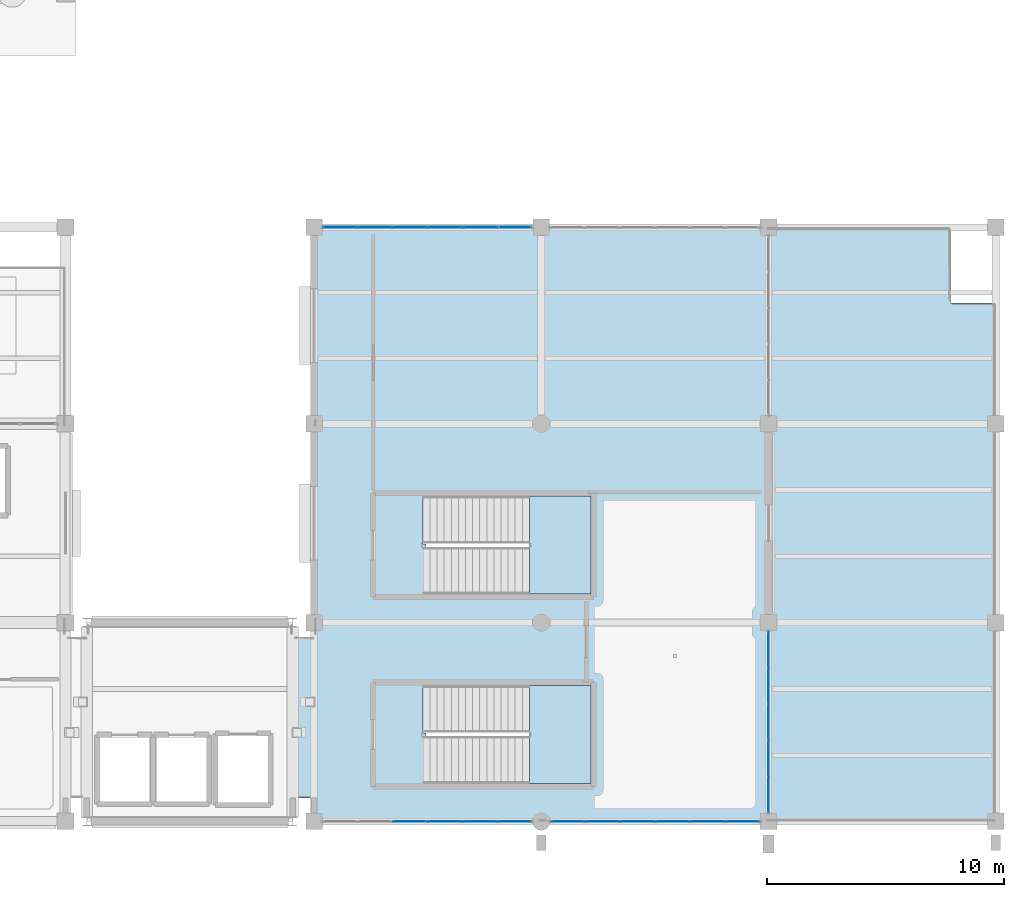
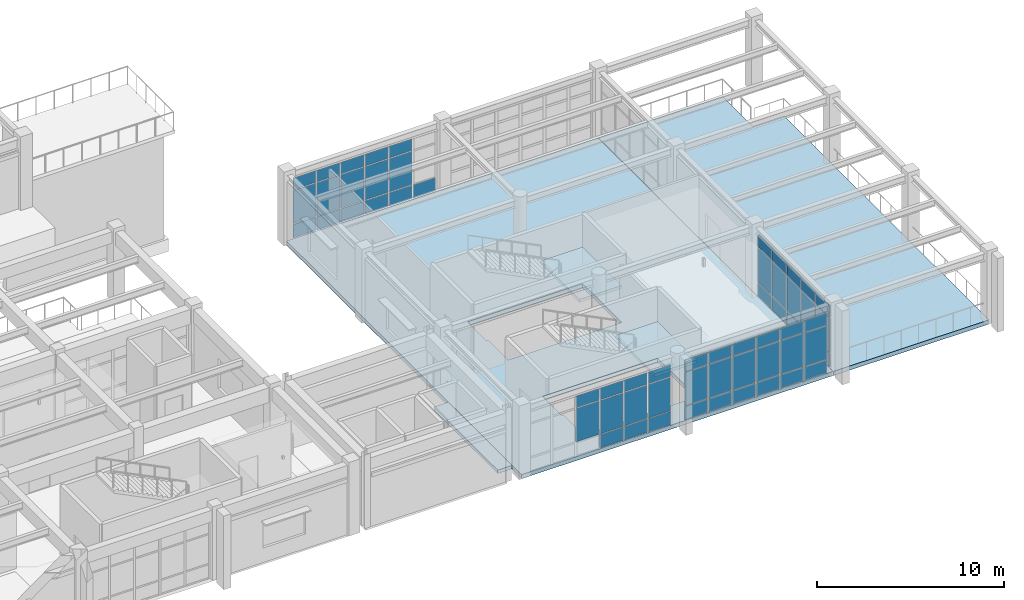
# One storey, part 73 of 98: 60 plates, 5 slabs, 6 elements without a shape of their own.
"""IFC4 building model written with IfcOpenShell, lengths in metres."""

import ifcopenshell
import ifcopenshell.guid

model = None  # the IFC model being written
_history = None  # IfcOwnerHistory: only IFC2X3 demands one
_inside = {}  # id of a spatial element -> (the spatial element, [elements in it])
_under = {}  # id of a project, library or spatial element -> (it, [spatial elements below it])
_declared = {}  # id of a project -> (the project, [libraries it declares])
_typed = {}  # id of a type object -> (the type object, [elements of that type])
_made_of = {}  # id of a material, layer set ... -> (it, [elements and type objects made of it])


def new_model(schema):
    """Start an empty IFC model of exactly this schema.

    Asked for "IFC4X3", IfcOpenShell would pick the latest addendum, in which some entities
    have other attributes; the version numbers below select the first issue.
    IFC2X3 requires an IfcOwnerHistory on every rooted entity: one is made here for all.
    """
    global model, _history
    if schema == "IFC4X3":
        model = ifcopenshell.file(schema_version=(4, 3, 0, 0))
    else:
        model = ifcopenshell.file(schema=schema)
    _inside.clear()
    _under.clear()
    _declared.clear()
    _typed.clear()
    _made_of.clear()
    _history = None
    if model.schema == "IFC2X3":
        org = make("IfcOrganization", Name="unknown")
        user = make(
            "IfcPersonAndOrganization",
            ThePerson=make("IfcPerson", FamilyName="unknown"),
            TheOrganization=org,
        )
        app = make(
            "IfcApplication",
            ApplicationDeveloper=org,
            Version="unknown",
            ApplicationFullName="unknown",
            ApplicationIdentifier="unknown",
        )
        _history = make(
            "IfcOwnerHistory",
            OwningUser=user,
            OwningApplication=app,
            ChangeAction="ADDED",
            CreationDate=0,
        )
    return model


def make(cls, **values):
    """One entity of the class cls with the attributes given. An attribute that is None is left unset."""
    return model.create_entity(
        cls, **{name: value for name, value in values.items() if value is not None}
    )


def rooted(cls, **values):
    """An entity with a GlobalId (a new one), such as an element, a storey or a relation."""
    return make(cls, GlobalId=ifcopenshell.guid.new(), OwnerHistory=_history, **values)


def si_unit(unit_type, name, prefix=None):
    """IfcSIUnit, for example si_unit("LENGTHUNIT", "METRE", prefix="MILLI")."""
    return make("IfcSIUnit", UnitType=unit_type, Prefix=prefix, Name=name)


def assignment(units):
    """IfcUnitAssignment: the units of a project."""
    return None if units is None else make("IfcUnitAssignment", Units=units)


def point(xyz):
    """IfcCartesianPoint."""
    return None if xyz is None else make("IfcCartesianPoint", Coordinates=xyz)


def direction(xyz):
    """IfcDirection."""
    return None if xyz is None else make("IfcDirection", DirectionRatios=xyz)


def frame(location, z_axis=None, x_axis=None):
    """IfcAxis2Placement3D, a coordinate frame: its origin and axes. An axis left out is left unset."""
    return make(
        "IfcAxis2Placement3D",
        Location=point(location),
        Axis=direction(z_axis),
        RefDirection=direction(x_axis),
    )


def frame_2d(location, x_axis=None):
    """IfcAxis2Placement2D, a coordinate frame in the plane: its origin and x axis."""
    return make(
        "IfcAxis2Placement2D", Location=point(location), RefDirection=direction(x_axis)
    )


def origin():
    """The frame at (0, 0, 0) with its axes left unset."""
    return frame((0.0, 0.0, 0.0))


def origin_2d():
    """The frame at (0, 0) in the plane with its x axis left unset."""
    return frame_2d((0.0, 0.0))


def place(relative_to, where):
    """IfcLocalPlacement: puts the frame where relative to a parent placement (None: the world)."""
    return make(
        "IfcLocalPlacement", PlacementRelTo=relative_to, RelativePlacement=where
    )


def context(
    kind, dimensions, precision=None, world=None, true_north=None, identifier=None
):
    """IfcGeometricRepresentationContext, for example the 3D "Model" context."""
    return make(
        "IfcGeometricRepresentationContext",
        ContextIdentifier=identifier,
        ContextType=kind,
        CoordinateSpaceDimension=dimensions,
        Precision=precision,
        WorldCoordinateSystem=world,
        TrueNorth=true_north,
    )


def subcontext(parent, identifier, kind, view, scale=None):
    """IfcGeometricRepresentationSubContext, for example "Body" below "Model"."""
    return make(
        "IfcGeometricRepresentationSubContext",
        ContextIdentifier=identifier,
        ContextType=kind,
        ParentContext=parent,
        TargetScale=scale,
        TargetView=view,
    )


def project(units=None, contexts=None):
    """IfcProject with its units and contexts."""
    return rooted(
        "IfcProject",
        Name="project",
        RepresentationContexts=contexts,
        UnitsInContext=assignment(units),
    )


def spatial(cls, under=None, at=None, **own):
    """A site, building, storey or space (cls), placed at a placement, below another one or the project."""
    s = rooted(cls, ObjectPlacement=at, **own)
    if under is not None:
        _under.setdefault(under.id(), (under, []))[1].append(s)
    return s


def polyline(points):
    """IfcPolyline through the points."""
    return make("IfcPolyline", Points=[point(p) for p in points])


def profile(cls, at=None, kind="AREA", **sizes):
    """A parametric profile (cls). Its sizes go by their IFC names, for example OverallWidth=200.0."""
    return make(cls, ProfileType=kind, Position=at, **sizes)


def rectangle(**sizes):
    """IfcRectangleProfileDef."""
    return profile("IfcRectangleProfileDef", **sizes)


def outline(outer, holes=None, kind="AREA"):
    """IfcArbitraryClosedProfileDef: a profile drawn as a closed curve; with holes, ...WithVoids."""
    if holes is None:
        return make("IfcArbitraryClosedProfileDef", ProfileType=kind, OuterCurve=outer)
    return make(
        "IfcArbitraryProfileDefWithVoids",
        ProfileType=kind,
        OuterCurve=outer,
        InnerCurves=holes,
    )


def extrude(swept, where, along, depth):
    """IfcExtrudedAreaSolid: the profile swept, set in the frame where, extruded along a direction by depth."""
    return make(
        "IfcExtrudedAreaSolid",
        SweptArea=swept,
        Position=where,
        ExtrudedDirection=direction(along),
        Depth=depth,
    )


def shape(context_of_items, identifier, shape_type, items):
    """IfcShapeRepresentation: the items that make up one representation, for example the "Body"."""
    return make(
        "IfcShapeRepresentation",
        ContextOfItems=context_of_items,
        RepresentationIdentifier=identifier,
        RepresentationType=shape_type,
        Items=items,
    )


def material(Name=None, Category=None):
    """IfcMaterial."""
    return make("IfcMaterial", Name=Name, Category=Category)


def layer(
    of_material, thickness, ventilated=None, Name=None, Category=None, Priority=None
):
    """IfcMaterialLayer: one layer of a wall or slab, of a material (None: an air gap)."""
    return make(
        "IfcMaterialLayer",
        Material=of_material,
        LayerThickness=thickness,
        IsVentilated=ventilated,
        Name=Name,
        Category=Category,
        Priority=Priority,
    )


def layer_set(layers, Name=None):
    """IfcMaterialLayerSet."""
    return make("IfcMaterialLayerSet", MaterialLayers=layers, LayerSetName=Name)


def made_of(thing, what):
    """Note that an element or type object is made of a material, layer set ...; save() writes the relation."""
    if what is not None:
        _made_of.setdefault(what.id(), (what, []))[1].append(thing)
    return thing


def type_object(cls, material=None, **own):
    """A type object (cls), such as IfcWallType, which elements share."""
    return made_of(rooted(cls, **own), material)


def element(
    cls,
    number,
    at=None,
    inside=None,
    cuts=None,
    type_object=None,
    material=None,
    context=None,
    identifier="Body",
    shape_type=None,
    held_by="IfcProductDefinitionShape",
    body=None,
    shapes=None,
    **own,
):
    """One element of the class cls, such as IfcWall. Its Tag is "e" and its number.

    at: its placement. inside: the storey or other place that contains it. cuts: it is an
    opening in that element (IfcRelVoidsElement). A single representation is given by context,
    identifier, shape_type and body (its items); several are given by shapes. held_by: the class
    of the entity that holds the representations. save() writes the other relations.
    """
    e = rooted(cls, Tag="e%d" % number, ObjectPlacement=at, **own)
    if body is not None:
        shapes = [shape(context, identifier, shape_type, body)]
    if shapes is not None:
        e.Representation = make(held_by, Representations=shapes)
    if inside is not None:
        _inside.setdefault(inside.id(), (inside, []))[1].append(e)
    if cuts is not None:
        rooted(
            "IfcRelVoidsElement", RelatingBuildingElement=cuts, RelatedOpeningElement=e
        )
    if type_object is not None:
        _typed.setdefault(type_object.id(), (type_object, []))[1].append(e)
    return made_of(e, material)


def aggregate(whole, parts):
    """IfcRelAggregates: a whole, such as a stair, and the parts it consists of."""
    return rooted("IfcRelAggregates", RelatingObject=whole, RelatedObjects=parts)


def save(model, path):
    """Write the relations noted so far, then the file.

    IfcRelAggregates (storeys below a building ...), IfcRelContainedInSpatialStructure (elements
    in a storey), IfcRelDefinesByType, IfcRelAssociatesMaterial and IfcRelDeclares: one each for
    every whole, place, type object, material and project.
    """
    for whole, parts in _under.values():
        aggregate(whole, parts)
    for where, things in _inside.values():
        rooted(
            "IfcRelContainedInSpatialStructure",
            RelatedElements=things,
            RelatingStructure=where,
        )
    for kind, things in _typed.values():
        rooted("IfcRelDefinesByType", RelatedObjects=things, RelatingType=kind)
    for what, things in _made_of.values():
        rooted("IfcRelAssociatesMaterial", RelatedObjects=things, RelatingMaterial=what)
    for by, libraries in _declared.values():
        rooted("IfcRelDeclares", RelatingContext=by, RelatedDefinitions=libraries)
    model.write(path)


model = new_model("IFC4")

# Units and contexts
model_context = context("Model", 3, precision=1e-05, world=origin(), true_north=direction((0.0, 1.0)))
body_context = subcontext(model_context, "Body", "Model", "MODEL_VIEW")
ifc_project = project(units=[si_unit("LENGTHUNIT", "METRE"), si_unit("AREAUNIT", "SQUARE_METRE"), si_unit("VOLUMEUNIT", "CUBIC_METRE"), si_unit("PLANEANGLEUNIT", "RADIAN"), si_unit("MASSUNIT", "GRAM", prefix="KILO")], contexts=[model_context])

# Site, building, storey
site_placement = place(None, origin())
site = spatial("IfcSite", under=ifc_project, at=site_placement, CompositionType="ELEMENT")
building_placement = place(site_placement, origin())
building = spatial("IfcBuilding", under=site, at=building_placement, Name="Canglan Escarpment Cableway Terminal", CompositionType="ELEMENT")
storey_placement = place(building_placement, frame((0.0, 0.0, 9.60009765625)))
storey = spatial("IfcBuildingStorey", under=building, at=storey_placement, Name="L02", CompositionType="ELEMENT", Elevation=9.60009765625)

# Curtain wall, plates
ifc_material_1 = material(Name="Anodized bronze aluminium and Low-E double glazing", Category="aluminium")
curtain_wall_type_1 = type_object("IfcCurtainWallType", Name="CW-BAY-8875x4025", PredefinedType="NOTDEFINED", material=ifc_material_1)
curtain_wall_1_placement = place(storey_placement, origin())
curtain_wall_1 = element("IfcCurtainWall", 1, at=curtain_wall_1_placement, inside=storey, type_object=curtain_wall_type_1, Name="Classical bay-between-piers glazed curtain wall CW-26", PredefinedType="NOTDEFINED")
ifc_material_2 = material(Name="Double-silver Low-E laminated insulating glass", Category="glass")
ifc_layer_1 = layer(ifc_material_2, 0.02392578125, Name="Double-silver Low-E laminated insulating glass")
ifc_layer_set_1 = layer_set([ifc_layer_1], Name="Double-silver Low-E laminated insulating glass")
plate_type_1 = type_object("IfcPlateType", Name="CWP-01", PredefinedType="CURTAIN_PANEL", material=ifc_layer_set_1)
plate_1_placement = place(storey_placement, frame((157.930908203125, 8.0, 0.06494140625), z_axis=(0.0, 0.0, 1.0), x_axis=(1.0, 0.0, 0.0)))
plate_1 = element("IfcPlate", 2, at=plate_1_placement, type_object=plate_type_1, Name="CW-26 panel 1.1", PredefinedType="CURTAIN_PANEL", context=body_context, shape_type="SweptSolid", body=[
    extrude(rectangle(XDim=1.381591796875, YDim=0.02392578125, at=origin_2d()), origin(), (0.0, 0.0, 1.0), 0.8525390625),
])
plate_2_placement = place(storey_placement, frame((157.930908203125, 8.0, 0.982421875), z_axis=(0.0, 0.0, 1.0), x_axis=(1.0, 0.0, 0.0)))
plate_2 = element("IfcPlate", 3, at=plate_2_placement, type_object=plate_type_1, Name="CW-26 panel 1.2", PredefinedType="CURTAIN_PANEL", context=body_context, shape_type="SweptSolid", body=[
    extrude(rectangle(XDim=1.381591796875, YDim=0.02392578125, at=origin_2d()), origin(), (0.0, 0.0, 1.0), 2.152099609375),
])
plate_3_placement = place(storey_placement, frame((157.930908203125, 8.0, 3.199462890625), z_axis=(0.0, 0.0, 1.0), x_axis=(1.0, 0.0, 0.0)))
plate_3 = element("IfcPlate", 4, at=plate_3_placement, type_object=plate_type_1, Name="CW-26 panel 1.3", PredefinedType="CURTAIN_PANEL", context=body_context, shape_type="SweptSolid", body=[
    extrude(rectangle(XDim=1.381591796875, YDim=0.02392578125, at=origin_2d()), origin(), (0.0, 0.0, 1.0), 0.75244140625),
])
plate_4_placement = place(storey_placement, frame((159.393798828125, 8.0, 0.06494140625), z_axis=(0.0, 0.0, 1.0), x_axis=(1.0, 0.0, 0.0)))
plate_4 = element("IfcPlate", 5, at=plate_4_placement, type_object=plate_type_1, Name="CW-26 panel 2.1", PredefinedType="CURTAIN_PANEL", context=body_context, shape_type="SweptSolid", body=[
    extrude(rectangle(XDim=1.4140625, YDim=0.02392578125, at=origin_2d()), origin(), (0.0, 0.0, 1.0), 0.8525390625),
])
plate_5_placement = place(storey_placement, frame((159.393798828125, 8.0, 0.982421875), z_axis=(0.0, 0.0, 1.0), x_axis=(1.0, 0.0, 0.0)))
plate_5 = element("IfcPlate", 6, at=plate_5_placement, type_object=plate_type_1, Name="CW-26 panel 2.2", PredefinedType="CURTAIN_PANEL", context=body_context, shape_type="SweptSolid", body=[
    extrude(rectangle(XDim=1.4140625, YDim=0.02392578125, at=origin_2d()), origin(), (0.0, 0.0, 1.0), 2.152099609375),
])
plate_6_placement = place(storey_placement, frame((159.393798828125, 8.0, 3.199462890625), z_axis=(0.0, 0.0, 1.0), x_axis=(1.0, 0.0, 0.0)))
plate_6 = element("IfcPlate", 7, at=plate_6_placement, type_object=plate_type_1, Name="CW-26 panel 2.3", PredefinedType="CURTAIN_PANEL", context=body_context, shape_type="SweptSolid", body=[
    extrude(rectangle(XDim=1.4140625, YDim=0.02392578125, at=origin_2d()), origin(), (0.0, 0.0, 1.0), 0.75244140625),
])
plate_7_placement = place(storey_placement, frame((160.872802734375, 8.0, 0.06494140625), z_axis=(0.0, 0.0, 1.0), x_axis=(1.0, 0.0, 0.0)))
plate_7 = element("IfcPlate", 8, at=plate_7_placement, type_object=plate_type_1, Name="CW-26 panel 3.1", PredefinedType="CURTAIN_PANEL", context=body_context, shape_type="SweptSolid", body=[
    extrude(rectangle(XDim=1.4140625, YDim=0.02392578125, at=origin_2d()), origin(), (0.0, 0.0, 1.0), 0.8525390625),
])
plate_8_placement = place(storey_placement, frame((160.872802734375, 8.0, 0.982421875), z_axis=(0.0, 0.0, 1.0), x_axis=(1.0, 0.0, 0.0)))
plate_8 = element("IfcPlate", 9, at=plate_8_placement, type_object=plate_type_1, Name="CW-26 panel 3.2", PredefinedType="CURTAIN_PANEL", context=body_context, shape_type="SweptSolid", body=[
    extrude(rectangle(XDim=1.4140625, YDim=0.02392578125, at=origin_2d()), origin(), (0.0, 0.0, 1.0), 2.152099609375),
])
plate_9_placement = place(storey_placement, frame((160.872802734375, 8.0, 3.199462890625), z_axis=(0.0, 0.0, 1.0), x_axis=(1.0, 0.0, 0.0)))
plate_9 = element("IfcPlate", 10, at=plate_9_placement, type_object=plate_type_1, Name="CW-26 panel 3.3", PredefinedType="CURTAIN_PANEL", context=body_context, shape_type="SweptSolid", body=[
    extrude(rectangle(XDim=1.4140625, YDim=0.02392578125, at=origin_2d()), origin(), (0.0, 0.0, 1.0), 0.75244140625),
])
plate_10_placement = place(storey_placement, frame((162.35205078125, 8.0, 0.06494140625), z_axis=(0.0, 0.0, 1.0), x_axis=(1.0, 0.0, 0.0)))
plate_10 = element("IfcPlate", 11, at=plate_10_placement, type_object=plate_type_1, Name="CW-26 panel 4.1", PredefinedType="CURTAIN_PANEL", context=body_context, shape_type="SweptSolid", body=[
    extrude(rectangle(XDim=1.4140625, YDim=0.02392578125, at=origin_2d()), origin(), (0.0, 0.0, 1.0), 0.8525390625),
])
plate_11_placement = place(storey_placement, frame((162.35205078125, 8.0, 0.982421875), z_axis=(0.0, 0.0, 1.0), x_axis=(1.0, 0.0, 0.0)))
plate_11 = element("IfcPlate", 12, at=plate_11_placement, type_object=plate_type_1, Name="CW-26 panel 4.2", PredefinedType="CURTAIN_PANEL", context=body_context, shape_type="SweptSolid", body=[
    extrude(rectangle(XDim=1.4140625, YDim=0.02392578125, at=origin_2d()), origin(), (0.0, 0.0, 1.0), 2.152099609375),
])
plate_12_placement = place(storey_placement, frame((162.35205078125, 8.0, 3.199462890625), z_axis=(0.0, 0.0, 1.0), x_axis=(1.0, 0.0, 0.0)))
plate_12 = element("IfcPlate", 13, at=plate_12_placement, type_object=plate_type_1, Name="CW-26 panel 4.3", PredefinedType="CURTAIN_PANEL", context=body_context, shape_type="SweptSolid", body=[
    extrude(rectangle(XDim=1.4140625, YDim=0.02392578125, at=origin_2d()), origin(), (0.0, 0.0, 1.0), 0.75244140625),
])
plate_13_placement = place(storey_placement, frame((163.831298828125, 8.0, 0.06494140625), z_axis=(0.0, 0.0, 1.0), x_axis=(1.0, 0.0, 0.0)))
plate_13 = element("IfcPlate", 14, at=plate_13_placement, type_object=plate_type_1, Name="CW-26 panel 5.1", PredefinedType="CURTAIN_PANEL", context=body_context, shape_type="SweptSolid", body=[
    extrude(rectangle(XDim=1.4140625, YDim=0.02392578125, at=origin_2d()), origin(), (0.0, 0.0, 1.0), 0.8525390625),
])
plate_14_placement = place(storey_placement, frame((163.831298828125, 8.0, 0.982421875), z_axis=(0.0, 0.0, 1.0), x_axis=(1.0, 0.0, 0.0)))
plate_14 = element("IfcPlate", 15, at=plate_14_placement, type_object=plate_type_1, Name="CW-26 panel 5.2", PredefinedType="CURTAIN_PANEL", context=body_context, shape_type="SweptSolid", body=[
    extrude(rectangle(XDim=1.4140625, YDim=0.02392578125, at=origin_2d()), origin(), (0.0, 0.0, 1.0), 2.152099609375),
])
plate_15_placement = place(storey_placement, frame((163.831298828125, 8.0, 3.199462890625), z_axis=(0.0, 0.0, 1.0), x_axis=(1.0, 0.0, 0.0)))
plate_15 = element("IfcPlate", 16, at=plate_15_placement, type_object=plate_type_1, Name="CW-26 panel 5.3", PredefinedType="CURTAIN_PANEL", context=body_context, shape_type="SweptSolid", body=[
    extrude(rectangle(XDim=1.4140625, YDim=0.02392578125, at=origin_2d()), origin(), (0.0, 0.0, 1.0), 0.75244140625),
])
plate_16_placement = place(storey_placement, frame((165.294189453125, 8.0, 0.06494140625), z_axis=(0.0, 0.0, 1.0), x_axis=(1.0, 0.0, 0.0)))
plate_16 = element("IfcPlate", 17, at=plate_16_placement, type_object=plate_type_1, Name="CW-26 panel 6.1", PredefinedType="CURTAIN_PANEL", context=body_context, shape_type="SweptSolid", body=[
    extrude(rectangle(XDim=1.381591796875, YDim=0.02392578125, at=origin_2d()), origin(), (0.0, 0.0, 1.0), 0.8525390625),
])
plate_17_placement = place(storey_placement, frame((165.294189453125, 8.0, 0.982421875), z_axis=(0.0, 0.0, 1.0), x_axis=(1.0, 0.0, 0.0)))
plate_17 = element("IfcPlate", 18, at=plate_17_placement, type_object=plate_type_1, Name="CW-26 panel 6.2", PredefinedType="CURTAIN_PANEL", context=body_context, shape_type="SweptSolid", body=[
    extrude(rectangle(XDim=1.381591796875, YDim=0.02392578125, at=origin_2d()), origin(), (0.0, 0.0, 1.0), 2.152099609375),
])
plate_18_placement = place(storey_placement, frame((165.294189453125, 8.0, 3.199462890625), z_axis=(0.0, 0.0, 1.0), x_axis=(1.0, 0.0, 0.0)))
plate_18 = element("IfcPlate", 19, at=plate_18_placement, type_object=plate_type_1, Name="CW-26 panel 6.3", PredefinedType="CURTAIN_PANEL", context=body_context, shape_type="SweptSolid", body=[
    extrude(rectangle(XDim=1.381591796875, YDim=0.02392578125, at=origin_2d()), origin(), (0.0, 0.0, 1.0), 0.75244140625),
])
aggregate(curtain_wall_1, [plate_1, plate_2, plate_3, plate_4, plate_5, plate_6, plate_7, plate_8, plate_9, plate_10, plate_11, plate_12, plate_13, plate_14, plate_15, plate_16, plate_17, plate_18])

curtain_wall_2_placement = place(storey_placement, origin())
curtain_wall_2 = element("IfcCurtainWall", 20, at=curtain_wall_2_placement, inside=storey, type_object=curtain_wall_type_1, Name="Classical bay-between-piers glazed curtain wall CW-26", PredefinedType="NOTDEFINED")
ifc_layer_2 = layer(ifc_material_2, 0.035888671875, Name="Double-silver Low-E laminated insulating glass")
ifc_layer_set_2 = layer_set([ifc_layer_2], Name="Double-silver Low-E laminated insulating glass")
plate_type_2 = type_object("IfcPlateType", Name="CWP-04", PredefinedType="CURTAIN_PANEL", material=ifc_layer_set_2)
plate_19_placement = place(storey_placement, frame((151.247802734375, 8.0, 0.97998046875), z_axis=(0.0, 0.0, 1.0), x_axis=(1.0, 0.0, 0.0)))
plate_19 = element("IfcPlate", 21, at=plate_19_placement, type_object=plate_type_2, Name="CW-26 panel 3.2", PredefinedType="CURTAIN_PANEL", context=body_context, shape_type="SweptSolid", body=[
    extrude(rectangle(XDim=1.4140625, YDim=0.035888671875, at=origin_2d()), origin(), (0.0, 0.0, 1.0), 2.156982421875),
])
plate_20_placement = place(storey_placement, frame((151.247802734375, 8.0, 3.19677734375), z_axis=(0.0, 0.0, 1.0), x_axis=(1.0, 0.0, 0.0)))
plate_20 = element("IfcPlate", 22, at=plate_20_placement, type_object=plate_type_2, Name="CW-26 panel 3.3", PredefinedType="CURTAIN_PANEL", context=body_context, shape_type="SweptSolid", body=[
    extrude(rectangle(XDim=1.4140625, YDim=0.035888671875, at=origin_2d()), origin(), (0.0, 0.0, 1.0), 0.760009765625),
])
plate_21_placement = place(storey_placement, frame((152.72705078125, 8.0, 0.06005859375), z_axis=(0.0, 0.0, 1.0), x_axis=(1.0, 0.0, 0.0)))
plate_21 = element("IfcPlate", 23, at=plate_21_placement, type_object=plate_type_2, Name="CW-26 panel 4.1", PredefinedType="CURTAIN_PANEL", context=body_context, shape_type="SweptSolid", body=[
    extrude(rectangle(XDim=1.4140625, YDim=0.035888671875, at=origin_2d()), origin(), (0.0, 0.0, 1.0), 0.860107421875),
])
plate_22_placement = place(storey_placement, frame((152.72705078125, 8.0, 0.97998046875), z_axis=(0.0, 0.0, 1.0), x_axis=(1.0, 0.0, 0.0)))
plate_22 = element("IfcPlate", 24, at=plate_22_placement, type_object=plate_type_2, Name="CW-26 panel 4.2", PredefinedType="CURTAIN_PANEL", context=body_context, shape_type="SweptSolid", body=[
    extrude(rectangle(XDim=1.4140625, YDim=0.035888671875, at=origin_2d()), origin(), (0.0, 0.0, 1.0), 2.156982421875),
])
plate_23_placement = place(storey_placement, frame((152.72705078125, 8.0, 3.19677734375), z_axis=(0.0, 0.0, 1.0), x_axis=(1.0, 0.0, 0.0)))
plate_23 = element("IfcPlate", 25, at=plate_23_placement, type_object=plate_type_2, Name="CW-26 panel 4.3", PredefinedType="CURTAIN_PANEL", context=body_context, shape_type="SweptSolid", body=[
    extrude(rectangle(XDim=1.4140625, YDim=0.035888671875, at=origin_2d()), origin(), (0.0, 0.0, 1.0), 0.760009765625),
])
plate_24_placement = place(storey_placement, frame((154.206298828125, 8.0, 0.06005859375), z_axis=(0.0, 0.0, 1.0), x_axis=(1.0, 0.0, 0.0)))
plate_24 = element("IfcPlate", 26, at=plate_24_placement, type_object=plate_type_2, Name="CW-26 panel 5.1", PredefinedType="CURTAIN_PANEL", context=body_context, shape_type="SweptSolid", body=[
    extrude(rectangle(XDim=1.4140625, YDim=0.035888671875, at=origin_2d()), origin(), (0.0, 0.0, 1.0), 0.860107421875),
])
plate_25_placement = place(storey_placement, frame((154.206298828125, 8.0, 0.97998046875), z_axis=(0.0, 0.0, 1.0), x_axis=(1.0, 0.0, 0.0)))
plate_25 = element("IfcPlate", 27, at=plate_25_placement, type_object=plate_type_2, Name="CW-26 panel 5.2", PredefinedType="CURTAIN_PANEL", context=body_context, shape_type="SweptSolid", body=[
    extrude(rectangle(XDim=1.4140625, YDim=0.035888671875, at=origin_2d()), origin(), (0.0, 0.0, 1.0), 2.156982421875),
])
plate_26_placement = place(storey_placement, frame((154.206298828125, 8.0, 3.19677734375), z_axis=(0.0, 0.0, 1.0), x_axis=(1.0, 0.0, 0.0)))
plate_26 = element("IfcPlate", 28, at=plate_26_placement, type_object=plate_type_2, Name="CW-26 panel 5.3", PredefinedType="CURTAIN_PANEL", context=body_context, shape_type="SweptSolid", body=[
    extrude(rectangle(XDim=1.4140625, YDim=0.035888671875, at=origin_2d()), origin(), (0.0, 0.0, 1.0), 0.760009765625),
])
plate_27_placement = place(storey_placement, frame((155.669189453125, 8.0, 0.06005859375), z_axis=(0.0, 0.0, 1.0), x_axis=(1.0, 0.0, 0.0)))
plate_27 = element("IfcPlate", 29, at=plate_27_placement, type_object=plate_type_2, Name="CW-26 panel 6.1", PredefinedType="CURTAIN_PANEL", context=body_context, shape_type="SweptSolid", body=[
    extrude(rectangle(XDim=1.381591796875, YDim=0.035888671875, at=origin_2d()), origin(), (0.0, 0.0, 1.0), 0.860107421875),
])
plate_28_placement = place(storey_placement, frame((155.669189453125, 8.0, 0.97998046875), z_axis=(0.0, 0.0, 1.0), x_axis=(1.0, 0.0, 0.0)))
plate_28 = element("IfcPlate", 30, at=plate_28_placement, type_object=plate_type_2, Name="CW-26 panel 6.2", PredefinedType="CURTAIN_PANEL", context=body_context, shape_type="SweptSolid", body=[
    extrude(rectangle(XDim=1.381591796875, YDim=0.035888671875, at=origin_2d()), origin(), (0.0, 0.0, 1.0), 2.156982421875),
])
plate_29_placement = place(storey_placement, frame((155.669189453125, 8.0, 3.19677734375), z_axis=(0.0, 0.0, 1.0), x_axis=(1.0, 0.0, 0.0)))
plate_29 = element("IfcPlate", 31, at=plate_29_placement, type_object=plate_type_2, Name="CW-26 panel 6.3", PredefinedType="CURTAIN_PANEL", context=body_context, shape_type="SweptSolid", body=[
    extrude(rectangle(XDim=1.381591796875, YDim=0.035888671875, at=origin_2d()), origin(), (0.0, 0.0, 1.0), 0.760009765625),
])
aggregate(curtain_wall_2, [plate_19, plate_20, plate_21, plate_22, plate_23, plate_24, plate_25, plate_26, plate_27, plate_28, plate_29])

curtain_wall_type_2 = type_object("IfcCurtainWallType", Name="CW-BAY-7700x4125", PredefinedType="NOTDEFINED", material=ifc_material_1)
curtain_wall_3_placement = place(storey_placement, origin())
curtain_wall_3 = element("IfcCurtainWall", 32, at=curtain_wall_3_placement, inside=storey, type_object=curtain_wall_type_2, Name="Classical bay-between-piers glazed curtain wall CW-27", PredefinedType="NOTDEFINED")
plate_30_placement = place(storey_placement, frame((166.39990234375, 9.13623046875, 0.06005859375), z_axis=(0.0, 0.0, 1.0), x_axis=(0.0, 1.0, 0.0)))
plate_30 = element("IfcPlate", 33, at=plate_30_placement, type_object=plate_type_2, Name="CW-27 panel 1.1", PredefinedType="CURTAIN_PANEL", context=body_context, shape_type="SweptSolid", body=[
    extrude(rectangle(XDim=1.4423828125, YDim=0.035888671875, at=origin_2d()), origin(), (0.0, 0.0, 1.0), 0.860107421875),
])
plate_31_placement = place(storey_placement, frame((166.39990234375, 9.13623046875, 0.97998046875), z_axis=(0.0, 0.0, 1.0), x_axis=(0.0, 1.0, 0.0)))
plate_31 = element("IfcPlate", 34, at=plate_31_placement, type_object=plate_type_2, Name="CW-27 panel 1.2", PredefinedType="CURTAIN_PANEL", context=body_context, shape_type="SweptSolid", body=[
    extrude(rectangle(XDim=1.4423828125, YDim=0.035888671875, at=origin_2d()), origin(), (0.0, 0.0, 1.0), 2.2548828125),
])
plate_32_placement = place(storey_placement, frame((166.39990234375, 9.13623046875, 3.294921875), z_axis=(0.0, 0.0, 1.0), x_axis=(0.0, 1.0, 0.0)))
plate_32 = element("IfcPlate", 35, at=plate_32_placement, type_object=plate_type_2, Name="CW-27 panel 1.3", PredefinedType="CURTAIN_PANEL", context=body_context, shape_type="SweptSolid", body=[
    extrude(rectangle(XDim=1.4423828125, YDim=0.035888671875, at=origin_2d()), origin(), (0.0, 0.0, 1.0), 0.760009765625),
])
plate_33_placement = place(storey_placement, frame((166.39990234375, 10.659912109375, 0.06005859375), z_axis=(0.0, 0.0, 1.0), x_axis=(0.0, 1.0, 0.0)))
plate_33 = element("IfcPlate", 36, at=plate_33_placement, type_object=plate_type_2, Name="CW-27 panel 2.1", PredefinedType="CURTAIN_PANEL", context=body_context, shape_type="SweptSolid", body=[
    extrude(rectangle(XDim=1.47509765625, YDim=0.035888671875, at=origin_2d()), origin(), (0.0, 0.0, 1.0), 0.860107421875),
])
plate_34_placement = place(storey_placement, frame((166.39990234375, 10.659912109375, 0.97998046875), z_axis=(0.0, 0.0, 1.0), x_axis=(0.0, 1.0, 0.0)))
plate_34 = element("IfcPlate", 37, at=plate_34_placement, type_object=plate_type_2, Name="CW-27 panel 2.2", PredefinedType="CURTAIN_PANEL", context=body_context, shape_type="SweptSolid", body=[
    extrude(rectangle(XDim=1.47509765625, YDim=0.035888671875, at=origin_2d()), origin(), (0.0, 0.0, 1.0), 2.2548828125),
])
plate_35_placement = place(storey_placement, frame((166.39990234375, 10.659912109375, 3.294921875), z_axis=(0.0, 0.0, 1.0), x_axis=(0.0, 1.0, 0.0)))
plate_35 = element("IfcPlate", 38, at=plate_35_placement, type_object=plate_type_2, Name="CW-27 panel 2.3", PredefinedType="CURTAIN_PANEL", context=body_context, shape_type="SweptSolid", body=[
    extrude(rectangle(XDim=1.47509765625, YDim=0.035888671875, at=origin_2d()), origin(), (0.0, 0.0, 1.0), 0.760009765625),
])
plate_36_placement = place(storey_placement, frame((166.39990234375, 12.199951171875, 0.06005859375), z_axis=(0.0, 0.0, 1.0), x_axis=(0.0, 1.0, 0.0)))
plate_36 = element("IfcPlate", 39, at=plate_36_placement, type_object=plate_type_2, Name="CW-27 panel 3.1", PredefinedType="CURTAIN_PANEL", context=body_context, shape_type="SweptSolid", body=[
    extrude(rectangle(XDim=1.47509765625, YDim=0.035888671875, at=origin_2d()), origin(), (0.0, 0.0, 1.0), 0.860107421875),
])
plate_37_placement = place(storey_placement, frame((166.39990234375, 12.199951171875, 0.97998046875), z_axis=(0.0, 0.0, 1.0), x_axis=(0.0, 1.0, 0.0)))
plate_37 = element("IfcPlate", 40, at=plate_37_placement, type_object=plate_type_2, Name="CW-27 panel 3.2", PredefinedType="CURTAIN_PANEL", context=body_context, shape_type="SweptSolid", body=[
    extrude(rectangle(XDim=1.47509765625, YDim=0.035888671875, at=origin_2d()), origin(), (0.0, 0.0, 1.0), 2.2548828125),
])
plate_38_placement = place(storey_placement, frame((166.39990234375, 12.199951171875, 3.294921875), z_axis=(0.0, 0.0, 1.0), x_axis=(0.0, 1.0, 0.0)))
plate_38 = element("IfcPlate", 41, at=plate_38_placement, type_object=plate_type_2, Name="CW-27 panel 3.3", PredefinedType="CURTAIN_PANEL", context=body_context, shape_type="SweptSolid", body=[
    extrude(rectangle(XDim=1.47509765625, YDim=0.035888671875, at=origin_2d()), origin(), (0.0, 0.0, 1.0), 0.760009765625),
])
plate_39_placement = place(storey_placement, frame((166.39990234375, 13.739990234375, 0.06005859375), z_axis=(0.0, 0.0, 1.0), x_axis=(0.0, 1.0, 0.0)))
plate_39 = element("IfcPlate", 42, at=plate_39_placement, type_object=plate_type_2, Name="CW-27 panel 4.1", PredefinedType="CURTAIN_PANEL", context=body_context, shape_type="SweptSolid", body=[
    extrude(rectangle(XDim=1.47509765625, YDim=0.035888671875, at=origin_2d()), origin(), (0.0, 0.0, 1.0), 0.860107421875),
])
plate_40_placement = place(storey_placement, frame((166.39990234375, 13.739990234375, 0.97998046875), z_axis=(0.0, 0.0, 1.0), x_axis=(0.0, 1.0, 0.0)))
plate_40 = element("IfcPlate", 43, at=plate_40_placement, type_object=plate_type_2, Name="CW-27 panel 4.2", PredefinedType="CURTAIN_PANEL", context=body_context, shape_type="SweptSolid", body=[
    extrude(rectangle(XDim=1.47509765625, YDim=0.035888671875, at=origin_2d()), origin(), (0.0, 0.0, 1.0), 2.2548828125),
])
plate_41_placement = place(storey_placement, frame((166.39990234375, 13.739990234375, 3.294921875), z_axis=(0.0, 0.0, 1.0), x_axis=(0.0, 1.0, 0.0)))
plate_41 = element("IfcPlate", 44, at=plate_41_placement, type_object=plate_type_2, Name="CW-27 panel 4.3", PredefinedType="CURTAIN_PANEL", context=body_context, shape_type="SweptSolid", body=[
    extrude(rectangle(XDim=1.47509765625, YDim=0.035888671875, at=origin_2d()), origin(), (0.0, 0.0, 1.0), 0.760009765625),
])
plate_42_placement = place(storey_placement, frame((166.39990234375, 15.263671875, 0.06005859375), z_axis=(0.0, 0.0, 1.0), x_axis=(0.0, 1.0, 0.0)))
plate_42 = element("IfcPlate", 45, at=plate_42_placement, type_object=plate_type_2, Name="CW-27 panel 5.1", PredefinedType="CURTAIN_PANEL", context=body_context, shape_type="SweptSolid", body=[
    extrude(rectangle(XDim=1.4423828125, YDim=0.035888671875, at=origin_2d()), origin(), (0.0, 0.0, 1.0), 0.860107421875),
])
plate_43_placement = place(storey_placement, frame((166.39990234375, 15.263671875, 0.97998046875), z_axis=(0.0, 0.0, 1.0), x_axis=(0.0, 1.0, 0.0)))
plate_43 = element("IfcPlate", 46, at=plate_43_placement, type_object=plate_type_2, Name="CW-27 panel 5.2", PredefinedType="CURTAIN_PANEL", context=body_context, shape_type="SweptSolid", body=[
    extrude(rectangle(XDim=1.4423828125, YDim=0.035888671875, at=origin_2d()), origin(), (0.0, 0.0, 1.0), 2.2548828125),
])
plate_44_placement = place(storey_placement, frame((166.39990234375, 15.263671875, 3.294921875), z_axis=(0.0, 0.0, 1.0), x_axis=(0.0, 1.0, 0.0)))
plate_44 = element("IfcPlate", 47, at=plate_44_placement, type_object=plate_type_2, Name="CW-27 panel 5.3", PredefinedType="CURTAIN_PANEL", context=body_context, shape_type="SweptSolid", body=[
    extrude(rectangle(XDim=1.4423828125, YDim=0.035888671875, at=origin_2d()), origin(), (0.0, 0.0, 1.0), 0.760009765625),
])
aggregate(curtain_wall_3, [plate_30, plate_31, plate_32, plate_33, plate_34, plate_35, plate_36, plate_37, plate_38, plate_39, plate_40, plate_41, plate_42, plate_43, plate_44])

curtain_wall_type_3 = type_object("IfcCurtainWallType", Name="CW-BAY-8900x4025", PredefinedType="NOTDEFINED", material=ifc_material_1)
curtain_wall_4_placement = place(storey_placement, origin())
curtain_wall_4 = element("IfcCurtainWall", 48, at=curtain_wall_4_placement, inside=storey, type_object=curtain_wall_type_3, Name="Classical bay-between-piers glazed curtain wall CW-28", PredefinedType="NOTDEFINED")
plate_45_placement = place(storey_placement, frame((155.692138671875, 33.10009765625, 0.06005859375), z_axis=(0.0, 0.0, 1.0), x_axis=(-1.0, 0.0, 0.0)))
plate_45 = element("IfcPlate", 49, at=plate_45_placement, type_object=plate_type_2, Name="CW-28 panel 1.1", PredefinedType="CURTAIN_PANEL", context=body_context, shape_type="SweptSolid", body=[
    extrude(rectangle(XDim=1.3857421875, YDim=0.035888671875, at=origin_2d()), origin(), (0.0, 0.0, 1.0), 0.860107421875),
])
plate_46_placement = place(storey_placement, frame((154.22509765625, 33.10009765625, 0.06005859375), z_axis=(0.0, 0.0, 1.0), x_axis=(-1.0, 0.0, 0.0)))
plate_46 = element("IfcPlate", 50, at=plate_46_placement, type_object=plate_type_2, Name="CW-28 panel 2.1", PredefinedType="CURTAIN_PANEL", context=body_context, shape_type="SweptSolid", body=[
    extrude(rectangle(XDim=1.418212890625, YDim=0.035888671875, at=origin_2d()), origin(), (0.0, 0.0, 1.0), 0.860107421875),
])
plate_47_placement = place(storey_placement, frame((154.22509765625, 33.10009765625, 0.97998046875), z_axis=(0.0, 0.0, 1.0), x_axis=(-1.0, 0.0, 0.0)))
plate_47 = element("IfcPlate", 51, at=plate_47_placement, type_object=plate_type_2, Name="CW-28 panel 2.2", PredefinedType="CURTAIN_PANEL", context=body_context, shape_type="SweptSolid", body=[
    extrude(rectangle(XDim=1.418212890625, YDim=0.035888671875, at=origin_2d()), origin(), (0.0, 0.0, 1.0), 2.156982421875),
])
plate_48_placement = place(storey_placement, frame((154.22509765625, 33.10009765625, 3.19677734375), z_axis=(0.0, 0.0, 1.0), x_axis=(-1.0, 0.0, 0.0)))
plate_48 = element("IfcPlate", 52, at=plate_48_placement, type_object=plate_type_2, Name="CW-28 panel 2.3", PredefinedType="CURTAIN_PANEL", context=body_context, shape_type="SweptSolid", body=[
    extrude(rectangle(XDim=1.418212890625, YDim=0.035888671875, at=origin_2d()), origin(), (0.0, 0.0, 1.0), 0.760009765625),
])
plate_49_placement = place(storey_placement, frame((152.74169921875, 33.10009765625, 0.06005859375), z_axis=(0.0, 0.0, 1.0), x_axis=(-1.0, 0.0, 0.0)))
plate_49 = element("IfcPlate", 53, at=plate_49_placement, type_object=plate_type_2, Name="CW-28 panel 3.1", PredefinedType="CURTAIN_PANEL", context=body_context, shape_type="SweptSolid", body=[
    extrude(rectangle(XDim=1.418212890625, YDim=0.035888671875, at=origin_2d()), origin(), (0.0, 0.0, 1.0), 0.860107421875),
])
plate_50_placement = place(storey_placement, frame((152.74169921875, 33.10009765625, 0.97998046875), z_axis=(0.0, 0.0, 1.0), x_axis=(-1.0, 0.0, 0.0)))
plate_50 = element("IfcPlate", 54, at=plate_50_placement, type_object=plate_type_2, Name="CW-28 panel 3.2", PredefinedType="CURTAIN_PANEL", context=body_context, shape_type="SweptSolid", body=[
    extrude(rectangle(XDim=1.418212890625, YDim=0.035888671875, at=origin_2d()), origin(), (0.0, 0.0, 1.0), 2.156982421875),
])
plate_51_placement = place(storey_placement, frame((152.74169921875, 33.10009765625, 3.19677734375), z_axis=(0.0, 0.0, 1.0), x_axis=(-1.0, 0.0, 0.0)))
plate_51 = element("IfcPlate", 55, at=plate_51_placement, type_object=plate_type_2, Name="CW-28 panel 3.3", PredefinedType="CURTAIN_PANEL", context=body_context, shape_type="SweptSolid", body=[
    extrude(rectangle(XDim=1.418212890625, YDim=0.035888671875, at=origin_2d()), origin(), (0.0, 0.0, 1.0), 0.760009765625),
])
plate_52_placement = place(storey_placement, frame((151.25830078125, 33.10009765625, 0.06005859375), z_axis=(0.0, 0.0, 1.0), x_axis=(-1.0, 0.0, 0.0)))
plate_52 = element("IfcPlate", 56, at=plate_52_placement, type_object=plate_type_2, Name="CW-28 panel 4.1", PredefinedType="CURTAIN_PANEL", context=body_context, shape_type="SweptSolid", body=[
    extrude(rectangle(XDim=1.418212890625, YDim=0.035888671875, at=origin_2d()), origin(), (0.0, 0.0, 1.0), 0.860107421875),
])
plate_53_placement = place(storey_placement, frame((151.25830078125, 33.10009765625, 0.97998046875), z_axis=(0.0, 0.0, 1.0), x_axis=(-1.0, 0.0, 0.0)))
plate_53 = element("IfcPlate", 57, at=plate_53_placement, type_object=plate_type_2, Name="CW-28 panel 4.2", PredefinedType="CURTAIN_PANEL", context=body_context, shape_type="SweptSolid", body=[
    extrude(rectangle(XDim=1.418212890625, YDim=0.035888671875, at=origin_2d()), origin(), (0.0, 0.0, 1.0), 2.156982421875),
])
plate_54_placement = place(storey_placement, frame((151.25830078125, 33.10009765625, 3.19677734375), z_axis=(0.0, 0.0, 1.0), x_axis=(-1.0, 0.0, 0.0)))
plate_54 = element("IfcPlate", 58, at=plate_54_placement, type_object=plate_type_2, Name="CW-28 panel 4.3", PredefinedType="CURTAIN_PANEL", context=body_context, shape_type="SweptSolid", body=[
    extrude(rectangle(XDim=1.418212890625, YDim=0.035888671875, at=origin_2d()), origin(), (0.0, 0.0, 1.0), 0.760009765625),
])
plate_55_placement = place(storey_placement, frame((149.77490234375, 33.10009765625, 0.06005859375), z_axis=(0.0, 0.0, 1.0), x_axis=(-1.0, 0.0, 0.0)))
plate_55 = element("IfcPlate", 59, at=plate_55_placement, type_object=plate_type_2, Name="CW-28 panel 5.1", PredefinedType="CURTAIN_PANEL", context=body_context, shape_type="SweptSolid", body=[
    extrude(rectangle(XDim=1.418212890625, YDim=0.035888671875, at=origin_2d()), origin(), (0.0, 0.0, 1.0), 0.860107421875),
])
plate_56_placement = place(storey_placement, frame((149.77490234375, 33.10009765625, 0.97998046875), z_axis=(0.0, 0.0, 1.0), x_axis=(-1.0, 0.0, 0.0)))
plate_56 = element("IfcPlate", 60, at=plate_56_placement, type_object=plate_type_2, Name="CW-28 panel 5.2", PredefinedType="CURTAIN_PANEL", context=body_context, shape_type="SweptSolid", body=[
    extrude(rectangle(XDim=1.418212890625, YDim=0.035888671875, at=origin_2d()), origin(), (0.0, 0.0, 1.0), 2.156982421875),
])
plate_57_placement = place(storey_placement, frame((149.77490234375, 33.10009765625, 3.19677734375), z_axis=(0.0, 0.0, 1.0), x_axis=(-1.0, 0.0, 0.0)))
plate_57 = element("IfcPlate", 61, at=plate_57_placement, type_object=plate_type_2, Name="CW-28 panel 5.3", PredefinedType="CURTAIN_PANEL", context=body_context, shape_type="SweptSolid", body=[
    extrude(rectangle(XDim=1.418212890625, YDim=0.035888671875, at=origin_2d()), origin(), (0.0, 0.0, 1.0), 0.760009765625),
])
plate_58_placement = place(storey_placement, frame((148.307861328125, 33.10009765625, 0.06005859375), z_axis=(0.0, 0.0, 1.0), x_axis=(-1.0, 0.0, 0.0)))
plate_58 = element("IfcPlate", 62, at=plate_58_placement, type_object=plate_type_2, Name="CW-28 panel 6.1", PredefinedType="CURTAIN_PANEL", context=body_context, shape_type="SweptSolid", body=[
    extrude(rectangle(XDim=1.3857421875, YDim=0.035888671875, at=origin_2d()), origin(), (0.0, 0.0, 1.0), 0.860107421875),
])
plate_59_placement = place(storey_placement, frame((148.307861328125, 33.10009765625, 0.97998046875), z_axis=(0.0, 0.0, 1.0), x_axis=(-1.0, 0.0, 0.0)))
plate_59 = element("IfcPlate", 63, at=plate_59_placement, type_object=plate_type_2, Name="CW-28 panel 6.2", PredefinedType="CURTAIN_PANEL", context=body_context, shape_type="SweptSolid", body=[
    extrude(rectangle(XDim=1.3857421875, YDim=0.035888671875, at=origin_2d()), origin(), (0.0, 0.0, 1.0), 2.156982421875),
])
plate_60_placement = place(storey_placement, frame((148.307861328125, 33.10009765625, 3.19677734375), z_axis=(0.0, 0.0, 1.0), x_axis=(-1.0, 0.0, 0.0)))
plate_60 = element("IfcPlate", 64, at=plate_60_placement, type_object=plate_type_2, Name="CW-28 panel 6.3", PredefinedType="CURTAIN_PANEL", context=body_context, shape_type="SweptSolid", body=[
    extrude(rectangle(XDim=1.3857421875, YDim=0.035888671875, at=origin_2d()), origin(), (0.0, 0.0, 1.0), 0.760009765625),
])
aggregate(curtain_wall_4, [plate_45, plate_46, plate_47, plate_48, plate_49, plate_50, plate_51, plate_52, plate_53, plate_54, plate_55, plate_56, plate_57, plate_58, plate_59, plate_60])

# Slabs
ifc_material_3 = material(Name="Concrete C40", Category="concrete")
ifc_layer_3 = layer(ifc_material_3, 0.260009765625, Name="Concrete C40")
ifc_layer_set_3 = layer_set([ifc_layer_3], Name="Concrete C40")
slab_type_1 = type_object("IfcSlabType", Name="SLB-FLR-260", PredefinedType="FLOOR", material=ifc_layer_set_3)
slab_1_placement = place(storey_placement, frame((0.0, 0.0, -0.260009765625)))
element("IfcSlab", 65, at=slab_1_placement, inside=storey, type_object=slab_type_1, Name="Suspended structural floor slab L02", PredefinedType="FLOOR", context=body_context, shape_type="SweptSolid", body=[
    extrude(outline(polyline([(147.199951171875, 8.0), (166.39990234375, 8.0), (166.39990234375, 33.10009765625), (147.199951171875, 33.10009765625), (147.199951171875, 8.0)]), holes=[polyline([(151.919921875, 9.60009765625), (151.919921875, 11.72998046875), (151.805908203125, 11.72998046875), (151.805908203125, 13.75), (158.89990234375, 13.75), (158.89990234375, 11.75), (158.89990234375, 11.72998046875), (158.89990234375, 9.60009765625), (151.919921875, 9.60009765625)]), polyline([(151.919921875, 17.60009765625), (151.919921875, 19.72998046875), (151.805908203125, 19.72998046875), (151.805908203125, 21.75), (158.89990234375, 21.75), (158.89990234375, 19.75), (158.89990234375, 19.72998046875), (158.89990234375, 17.60009765625), (151.919921875, 17.60009765625)])]), origin(), (0.0, 0.0, 1.0), 0.260009765625),
])
ifc_layer_4 = layer(ifc_material_3, 0.219970703125, Name="Concrete C40")
ifc_layer_set_4 = layer_set([ifc_layer_4], Name="Concrete C40")
slab_type_2 = type_object("IfcSlabType", Name="SLB-LINK-220", PredefinedType="FLOOR", material=ifc_layer_set_4)
slab_2_placement = place(storey_placement, frame((0.0, 0.0, -0.22021484375)))
element("IfcSlab", 66, at=slab_2_placement, inside=storey, type_object=slab_type_2, Name="Movement-joint concourse link slab MJ-S1", PredefinedType="FLOOR", context=body_context, shape_type="SweptSolid", body=[
    extrude(outline(polyline([(147.195068359375, 15.800048828125), (147.195068359375, 9.0), (146.304931640625, 9.0), (146.304931640625, 15.800048828125), (147.195068359375, 15.800048828125)])), origin(), (0.0, 0.0, 1.0), 0.22021484375),
])

# Stair, slab
stair_type = type_object("IfcStairType", Name="STR-DOGLEG-2000", PredefinedType="HALF_TURN_STAIR", material=ifc_material_3)
stair_1_placement = place(storey_placement, origin())
stair_1 = element("IfcStair", 67, at=stair_1_placement, inside=storey, type_object=stair_type, Name="L02 Protected Exit Stair ST-08", PredefinedType="HALF_TURN_STAIR")
ifc_layer_5 = layer(ifc_material_3, 0.199951171875, Name="Concrete C40")
ifc_layer_set_5 = layer_set([ifc_layer_5], Name="Concrete C40")
slab_type_3 = type_object("IfcSlabType", Name="SLB-STAIR-LAND-200", PredefinedType="LANDING", material=ifc_layer_set_5)
slab_3_placement = place(storey_placement, frame((0.0, 0.0, 2.199951171875)))
slab_3 = element("IfcSlab", 68, at=slab_3_placement, type_object=slab_type_3, Name="ST-08 landing 1", PredefinedType="LANDING", context=body_context, shape_type="SweptSolid", body=[
    extrude(outline(polyline([(156.300048828125, 9.60009765625), (158.89990234375, 9.60009765625), (158.89990234375, 13.75), (156.300048828125, 13.75), (156.300048828125, 9.60009765625)])), origin(), (0.0, 0.0, 1.0), 0.199951171875),
])
aggregate(stair_1, [slab_3])

stair_2_placement = place(storey_placement, origin())
stair_2 = element("IfcStair", 69, at=stair_2_placement, inside=storey, type_object=stair_type, Name="L02 Protected Exit Stair ST-09", PredefinedType="HALF_TURN_STAIR")
slab_4_placement = place(storey_placement, frame((0.0, 0.0, 2.199951171875)))
slab_4 = element("IfcSlab", 70, at=slab_4_placement, type_object=slab_type_3, Name="ST-09 landing 1", PredefinedType="LANDING", context=body_context, shape_type="SweptSolid", body=[
    extrude(outline(polyline([(156.300048828125, 17.60009765625), (158.89990234375, 17.60009765625), (158.89990234375, 21.75), (156.300048828125, 21.75), (156.300048828125, 17.60009765625)])), origin(), (0.0, 0.0, 1.0), 0.199951171875),
])
aggregate(stair_2, [slab_4])

# Slab
ifc_layer_6 = layer(ifc_material_3, 0.27001953125, Name="Concrete C40")
ifc_layer_set_6 = layer_set([ifc_layer_6], Name="Concrete C40")
slab_type_4 = type_object("IfcSlabType", Name="SLB-TERR-270", PredefinedType="FLOOR", material=ifc_layer_set_6)
slab_5_placement = place(storey_placement, frame((0.0, 0.0, -0.27001953125)))
element("IfcSlab", 71, at=slab_5_placement, inside=storey, type_object=slab_type_4, Name="Panoramic viewing terrace slab ST-01S", PredefinedType="FLOOR", context=body_context, shape_type="SweptSolid", body=[
    extrude(outline(polyline([(166.39990234375, 8.0), (176.0, 8.0), (176.0, 29.89990234375), (174.080078125, 29.89990234375), (174.080078125, 33.10009765625), (166.39990234375, 33.10009765625), (166.39990234375, 8.0)])), origin(), (0.0, 0.0, 1.0), 0.27001953125),
])

save(model, "model.ifc")
